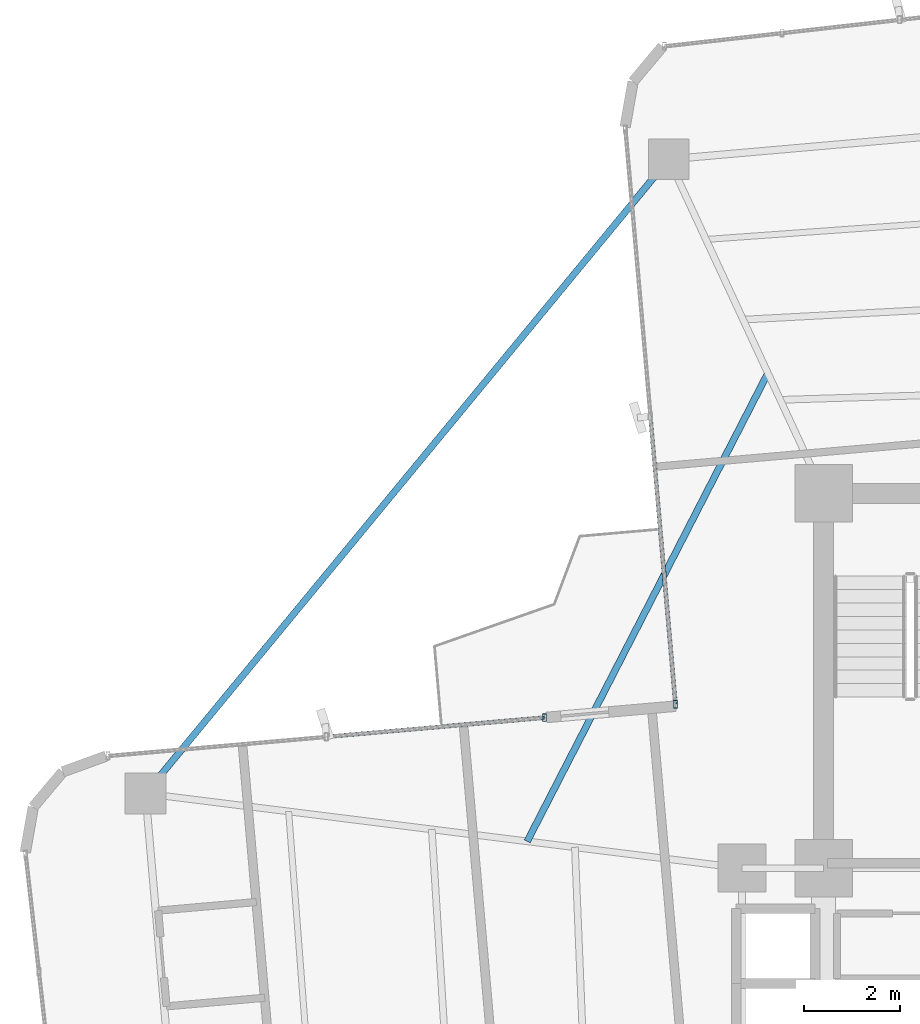
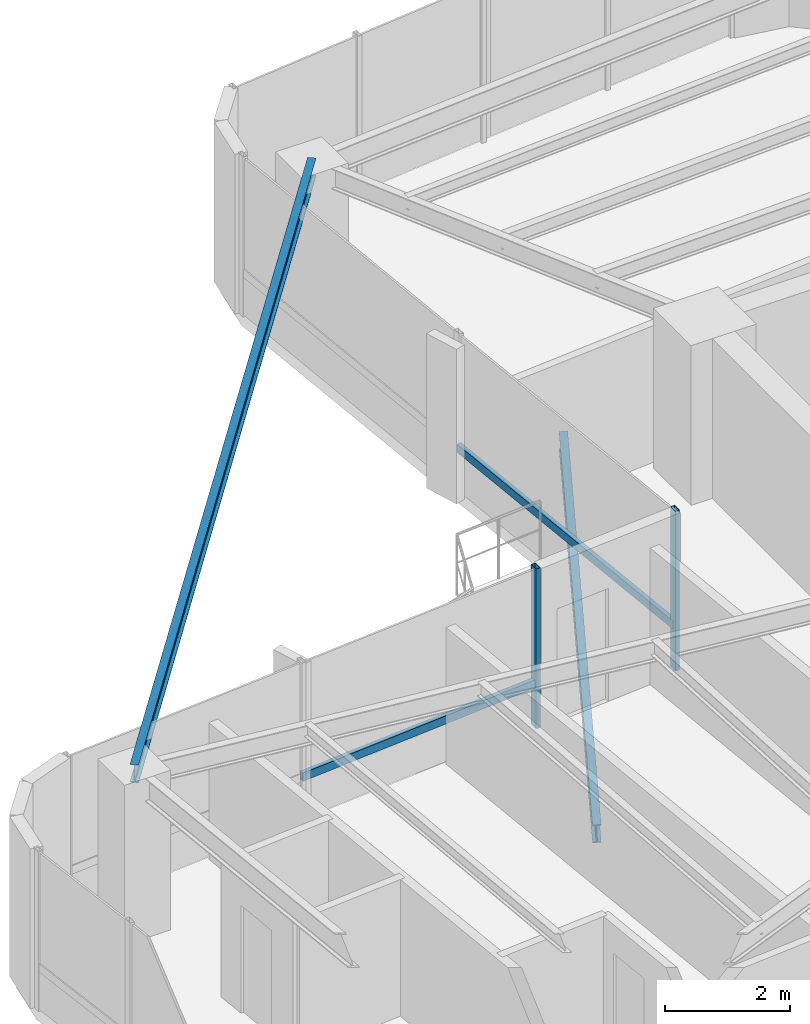
# One storey, part 10 of 24: 4 members, 2 beams, 2 elements without a shape of their own.
"""IFC4 building model written with IfcOpenShell, lengths in metres."""

from ifc_helpers import new_model, si_unit, direction, frame, origin, origin_2d, place, context, subcontext, project, spatial, hollow_rectangle, i_section, extrude, source, transform, mapped, material, material_profile, profile_set, type_object, element, aggregate, save


model = new_model("IFC4")

# Units and contexts
model_context = context("Model", 3, precision=1e-05, world=origin(), true_north=direction((0.0, 1.0)))
body_context = subcontext(model_context, "Body", "Model", "MODEL_VIEW")
ifc_project = project(units=[si_unit("LENGTHUNIT", "METRE"), si_unit("AREAUNIT", "SQUARE_METRE"), si_unit("VOLUMEUNIT", "CUBIC_METRE"), si_unit("PLANEANGLEUNIT", "RADIAN"), si_unit("MASSUNIT", "GRAM", prefix="KILO")], contexts=[model_context])

# Site, building, storey
site_placement = place(None, origin())
site = spatial("IfcSite", under=ifc_project, at=site_placement, CompositionType="ELEMENT")
building_placement = place(site_placement, origin())
building = spatial("IfcBuilding", under=site, at=building_placement, Name="Sahyath Konkavel Grand Hotel", CompositionType="ELEMENT")
storey_placement = place(building_placement, frame((0.0, 0.0, 147.25)))
storey = spatial("IfcBuildingStorey", under=building, at=storey_placement, Name="L40", CompositionType="ELEMENT", Elevation=147.25)

# Beam
ifc_material_1 = material(Name="Steel E350", Category="steel")
ifc_material_profile_1 = material_profile(ifc_material_1, i_section(OverallWidth=0.139892578125, OverallDepth=0.35009765625, WebThickness=0.008056640625, FlangeThickness=0.01416015625, FilletRadius=0.013916015625, at=origin_2d()), Name="ISMB 350")
ifc_profile_set_1 = profile_set([ifc_material_profile_1], Name="Steel E350")
beam_type_1 = type_object("IfcBeamType", Name="BM-ISMB350", PredefinedType="BEAM", material=ifc_profile_set_1)
shared_shape_1 = source(origin(), body_context, "Body", "SweptSolid", [
    extrude(i_section(OverallWidth=0.139892578125, OverallDepth=0.35009765625, WebThickness=0.008056640625, FlangeThickness=0.01416015625, FilletRadius=0.013916015625, at=origin_2d()), origin(), (0.0, 0.0, 1.0), 17.112548828125),
])
beam_1_placement = place(storey_placement, frame((-7.021728515625, 17.1533203125, 2.93505859375), z_axis=(-0.636437070092, -0.77132863023, 0.0), x_axis=(0.77132863023, -0.636437070092, 0.0)))
element("IfcBeam", 1, at=beam_1_placement, inside=storey, type_object=beam_type_1, Name="L40 Re-Entrant Tie Beam NW", PredefinedType="BEAM", context=body_context, shape_type="MappedRepresentation", body=[
    mapped(shared_shape_1, transform((0.0, 0.0, 0.0), scale=1.0)),
])

# Curtain wall, member
ifc_material_2 = material(Name="Anodised Bronze Aluminium & Low-E Glazing", Category="aluminium")
curtain_wall_type = type_object("IfcCurtainWallType", Name="CW-ZONE3", PredefinedType="NOTDEFINED", material=ifc_material_2)
curtain_wall_1_placement = place(storey_placement, origin())
curtain_wall_1 = element("IfcCurtainWall", 2, at=curtain_wall_1_placement, inside=storey, type_object=curtain_wall_type, Name="L40 Unitised Curtain Wall F15", PredefinedType="NOTDEFINED")
ifc_material_3 = material(Name="Anodised Bronze Aluminium", Category="aluminium")
ifc_material_profile_2 = material_profile(ifc_material_3, hollow_rectangle(XDim=0.080078125, YDim=0.159912109375, WallThickness=0.006103515625, at=origin_2d()), Name="RHS 160x80x6")
ifc_profile_set_2 = profile_set([ifc_material_profile_2], Name="Anodised Bronze Aluminium")
member_type_1 = type_object("IfcMemberType", Name="CW-MUL-160", PredefinedType="MULLION", material=ifc_profile_set_2)
shared_shape_2 = source(origin(), body_context, "Body", "SweptSolid", [
    extrude(hollow_rectangle(XDim=0.080078125, YDim=0.159912109375, WallThickness=0.006103515625, at=origin_2d()), origin(), (0.0, 0.0, 1.0), 3.110107421875),
])
member_1_placement = place(storey_placement, frame((-6.8828125, 5.812255859375, 0.0), z_axis=(0.0, 0.0, 1.0), x_axis=(1.0, 0.0, 0.0)))
member_1 = element("IfcMember", 3, at=member_1_placement, type_object=member_type_1, Name="L40 Curtain Wall Mullion F15-2", PredefinedType="MULLION", context=body_context, shape_type="MappedRepresentation", body=[
    mapped(shared_shape_2, transform((0.0, 0.0, 0.0), scale=1.0)),
])

# Curtain wall, members
curtain_wall_2_placement = place(storey_placement, origin())
curtain_wall_2 = element("IfcCurtainWall", 4, at=curtain_wall_2_placement, inside=storey, type_object=curtain_wall_type, Name="L40 Unitised Curtain Wall F16", PredefinedType="NOTDEFINED")
member_2_placement = place(storey_placement, frame((-9.60888671875, 5.53369140625, 0.0), z_axis=(0.0, 0.0, 1.0), x_axis=(1.0, 0.0, 0.0)))
member_2 = element("IfcMember", 5, at=member_2_placement, type_object=member_type_1, Name="L40 Curtain Wall Mullion F16-0", PredefinedType="MULLION", context=body_context, shape_type="MappedRepresentation", body=[
    mapped(shared_shape_2, transform((0.0, 0.0, 0.0), scale=1.0)),
])
ifc_material_profile_3 = material_profile(ifc_material_3, hollow_rectangle(XDim=0.080078125, YDim=0.159912109375, WallThickness=0.006103515625, at=origin_2d()), Name="RHS 160x80x6")
ifc_profile_set_3 = profile_set([ifc_material_profile_3], Name="Anodised Bronze Aluminium")
member_type_2 = type_object("IfcMemberType", Name="CW-TRN-160", PredefinedType="USERDEFINED", material=ifc_profile_set_3)
shared_shape_3 = source(origin(), body_context, "Body", "SweptSolid", [
    extrude(hollow_rectangle(XDim=0.080078125, YDim=0.159912109375, WallThickness=0.006103515625, at=origin_2d()), origin(), (0.0, 0.0, 1.0), 4.56005859375),
])
member_3_placement = place(storey_placement, frame((-9.60888671875, 5.53369140625, 0.85009765625), z_axis=(-0.996189590376, -0.087214104516, 0.0), x_axis=(0.087214104516, -0.996189590376, 0.0)))
member_3 = element("IfcMember", 6, at=member_3_placement, type_object=member_type_2, Name="L40 Curtain Wall Transom F16-0-spandrel", ObjectType="TRANSOM", PredefinedType="USERDEFINED", context=body_context, shape_type="MappedRepresentation", body=[
    mapped(shared_shape_3, transform((0.0, 0.0, 0.0), scale=1.0)),
])
aggregate(curtain_wall_2, [member_2, member_3])

# Member
shared_shape_4 = source(origin(), body_context, "Body", "SweptSolid", [
    extrude(hollow_rectangle(XDim=0.080078125, YDim=0.159912109375, WallThickness=0.006103515625, at=origin_2d()), origin(), (0.0, 0.0, 1.0), 6.010009765625),
])
member_4_placement = place(storey_placement, frame((-7.406494140625, 11.79931640625, 0.85009765625), z_axis=(0.087136210597, -0.996196406741, 0.0), x_axis=(0.996196406741, 0.087136210597, 0.0)))
member_4 = element("IfcMember", 7, at=member_4_placement, type_object=member_type_2, Name="L40 Curtain Wall Transom F15-1-spandrel", ObjectType="TRANSOM", PredefinedType="USERDEFINED", context=body_context, shape_type="MappedRepresentation", body=[
    mapped(shared_shape_4, transform((0.0, 0.0, 0.0), scale=1.0)),
])

aggregate(curtain_wall_1, [member_1, member_4])

# Beam
ifc_material_profile_4 = material_profile(ifc_material_1, i_section(OverallWidth=0.139892578125, OverallDepth=0.35009765625, WebThickness=0.008056640625, FlangeThickness=0.01416015625, FilletRadius=0.013916015625, at=origin_2d()), Name="ISMB 350")
ifc_profile_set_4 = profile_set([ifc_material_profile_4], Name="Steel E350")
beam_type_2 = type_object("IfcBeamType", Name="BM-BALC-CANT", PredefinedType="BEAM", material=ifc_profile_set_4)
shared_shape_5 = source(origin(), body_context, "Body", "SweptSolid", [
    extrude(i_section(OverallWidth=0.139892578125, OverallDepth=0.35009765625, WebThickness=0.008056640625, FlangeThickness=0.01416015625, FilletRadius=0.013916015625, at=origin_2d()), origin(), (0.0, 0.0, 1.0), 10.95556640625),
])
beam_2_placement = place(storey_placement, frame((-4.959716796875, 12.703125, -0.4150390625), z_axis=(-0.457186878355, -0.889370652912, 0.0), x_axis=(0.889370652912, -0.457186878355, 0.0)))
element("IfcBeam", 8, at=beam_2_placement, inside=storey, type_object=beam_type_2, Name="L40 Balcony Cantilever Support Beam NW", PredefinedType="BEAM", context=body_context, shape_type="MappedRepresentation", body=[
    mapped(shared_shape_5, transform((0.0, 0.0, 0.0), scale=1.0)),
])

save(model, "model.ifc")
